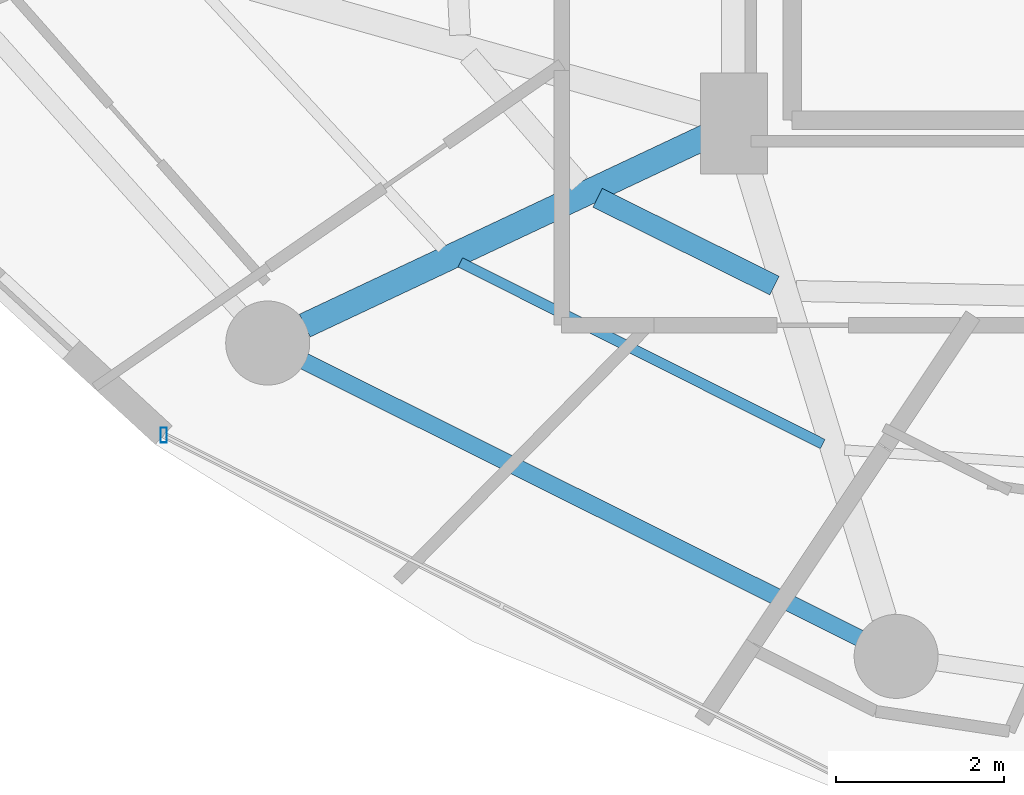
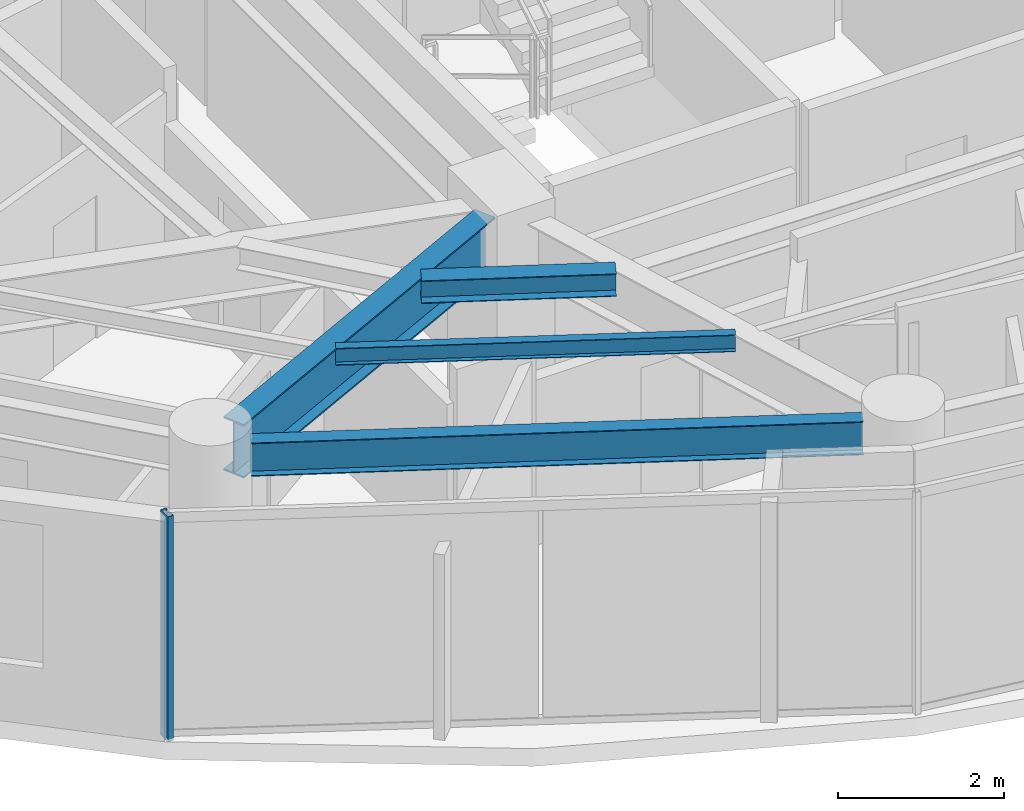
# One storey, part 2 of 30: 4 beams, 1 member, 1 element without a shape of its own.
"""IFC4 building model written with IfcOpenShell, lengths in metres."""

from ifc_helpers import new_model, si_unit, direction, frame, origin, origin_2d, place, context, subcontext, project, spatial, hollow_rectangle, i_section, extrude, material, material_profile, profile_set, type_object, element, aggregate, save


model = new_model("IFC4")

# Units and contexts
model_context = context("Model", 3, precision=1e-05, world=origin(), true_north=direction((0.0, 1.0)))
body_context = subcontext(model_context, "Body", "Model", "MODEL_VIEW")
ifc_project = project(units=[si_unit("LENGTHUNIT", "METRE"), si_unit("AREAUNIT", "SQUARE_METRE"), si_unit("VOLUMEUNIT", "CUBIC_METRE"), si_unit("PLANEANGLEUNIT", "RADIAN"), si_unit("MASSUNIT", "GRAM", prefix="KILO")], contexts=[model_context])

# Site, building, storey
site_placement = place(None, origin())
site = spatial("IfcSite", under=ifc_project, at=site_placement, CompositionType="ELEMENT")
building_placement = place(site_placement, origin())
building = spatial("IfcBuilding", under=site, at=building_placement, Name="Vorneva Point Tower", CompositionType="ELEMENT")
storey_placement = place(building_placement, frame((0.0, 0.0, 157.10009765625)))
storey = spatial("IfcBuildingStorey", under=building, at=storey_placement, Name="L42", CompositionType="ELEMENT", Elevation=157.10009765625)

# Beams
ifc_material_1 = material(Name="Steel S355", Category="steel")
ifc_material_profile_1 = material_profile(ifc_material_1, i_section(OverallWidth=0.300048828125, OverallDepth=0.7880859375, WebThickness=0.014404296875, FlangeThickness=0.02197265625, at=origin_2d()), Name="80Sh1")
ifc_profile_set_1 = profile_set([ifc_material_profile_1], Name="Steel S355")
beam_type_1 = type_object("IfcBeamType", Name="BM-GRD-80Sh1", PredefinedType="USERDEFINED", material=ifc_profile_set_1)
beam_1_placement = place(storey_placement, frame((22.142578125, 14.045654296875, 2.845947265625), z_axis=(0.904761331435, 0.425918927896, 0.0), x_axis=(-0.425918927896, 0.904761331435, 0.0)))
element("IfcBeam", 1, at=beam_1_placement, inside=storey, type_object=beam_type_1, Name="L42 Radial Primary Girder 11", ObjectType="GIRDER", PredefinedType="USERDEFINED", context=body_context, shape_type="SweptSolid", body=[
    extrude(i_section(OverallWidth=0.300048828125, OverallDepth=0.7880859375, WebThickness=0.014404296875, FlangeThickness=0.02197265625, at=origin_2d()), origin(), (0.0, 0.0, 1.0), 5.304931640625),
])
ifc_material_profile_2 = material_profile(ifc_material_1, i_section(OverallWidth=0.1240234375, OverallDepth=0.248046875, WebThickness=0.0048828125, FlangeThickness=0.008056640625, at=origin_2d()), Name="25B1")
ifc_profile_set_2 = profile_set([ifc_material_profile_2], Name="Steel S355")
beam_type_2 = type_object("IfcBeamType", Name="BM-JST-25B1", PredefinedType="JOIST", material=ifc_profile_set_2)
beam_2_placement = place(storey_placement, frame((23.993896484375, 14.79736328125, 3.115966796875), z_axis=(0.893940770693, -0.448185116322, 0.0), x_axis=(0.448185116322, 0.893940770693, 0.0)))
element("IfcBeam", 2, at=beam_2_placement, inside=storey, type_object=beam_type_2, Name="L42 Secondary Floor Beam 1.11", PredefinedType="JOIST", context=body_context, shape_type="SweptSolid", body=[
    extrude(i_section(OverallWidth=0.1240234375, OverallDepth=0.248046875, WebThickness=0.0048828125, FlangeThickness=0.008056640625, at=origin_2d()), origin(), (0.0, 0.0, 1.0), 4.823486328125),
])
ifc_material_profile_3 = material_profile(ifc_material_1, i_section(OverallWidth=0.2490234375, OverallDepth=0.333984375, WebThickness=0.008056640625, FlangeThickness=0.010986328125, at=origin_2d()), Name="35Sh1")
ifc_profile_set_3 = profile_set([ifc_material_profile_3], Name="Steel S355")
beam_type_3 = type_object("IfcBeamType", Name="BM-SEC-35Sh1", PredefinedType="BEAM", material=ifc_profile_set_3)
beam_3_placement = place(storey_placement, frame((25.626220703125, 15.56591796875, 3.072998046875), z_axis=(0.895835455774, -0.444385909068, 0.0), x_axis=(0.444385909068, 0.895835455774, 0.0)))
element("IfcBeam", 3, at=beam_3_placement, inside=storey, type_object=beam_type_3, Name="L42 Secondary Floor Beam 2.11", PredefinedType="BEAM", context=body_context, shape_type="SweptSolid", body=[
    extrude(i_section(OverallWidth=0.2490234375, OverallDepth=0.333984375, WebThickness=0.008056640625, FlangeThickness=0.010986328125, at=origin_2d()), origin(), (0.0, 0.0, 1.0), 2.350341796875),
])
ifc_material_profile_4 = material_profile(ifc_material_1, i_section(OverallWidth=0.199951171875, OverallDepth=0.491943359375, WebThickness=0.0087890625, FlangeThickness=0.011962890625, at=origin_2d()), Name="50B1")
ifc_profile_set_4 = profile_set([ifc_material_profile_4], Name="Steel S355")
beam_type_4 = type_object("IfcBeamType", Name="BM-SPN-50B1", PredefinedType="SPANDREL", material=ifc_profile_set_4)
beam_4_placement = place(storey_placement, frame((22.13525390625, 13.621337890625, 2.993896484375), z_axis=(0.894929061397, -0.446208443518, 0.0), x_axis=(0.446208443518, 0.894929061397, 0.0)))
element("IfcBeam", 4, at=beam_4_placement, inside=storey, type_object=beam_type_4, Name="L42 Perimeter Spandrel Ring Beam 11", PredefinedType="SPANDREL", context=body_context, shape_type="SweptSolid", body=[
    extrude(i_section(OverallWidth=0.199951171875, OverallDepth=0.491943359375, WebThickness=0.0087890625, FlangeThickness=0.011962890625, at=origin_2d()), origin(), (0.0, 0.0, 1.0), 7.385986328125),
])

# Curtain wall, member
ifc_material_2 = material(Name="Pale anodised aluminium", Category="aluminium")
curtain_wall_type = type_object("IfcCurtainWallType", Name="CW-RES-SYS", PredefinedType="NOTDEFINED", material=ifc_material_2)
curtain_wall_placement = place(storey_placement, origin())
curtain_wall = element("IfcCurtainWall", 5, at=curtain_wall_placement, inside=storey, type_object=curtain_wall_type, Name="L42 Unitised Curtain Wall CW-L42-R04", PredefinedType="NOTDEFINED")
ifc_material_profile_5 = material_profile(ifc_material_2, hollow_rectangle(XDim=0.074951171875, YDim=0.179931640625, WallThickness=0.00390625, at=origin_2d()), Name="AL-MUL 180x75x4")
ifc_profile_set_5 = profile_set([ifc_material_profile_5], Name="Pale anodised aluminium")
member_type = type_object("IfcMemberType", Name="CW-MUL-180", PredefinedType="MULLION", material=ifc_profile_set_5)
member_placement = place(storey_placement, frame((20.4638671875, 12.74169921875, -0.0400390625), z_axis=(0.0, 0.0, 1.0), x_axis=(1.0, 0.0, 0.0)))
member = element("IfcMember", 6, at=member_placement, type_object=member_type, Name="CW-L42-R04 Mullion 01", PredefinedType="MULLION", context=body_context, shape_type="SweptSolid", body=[
    extrude(hollow_rectangle(XDim=0.074951171875, YDim=0.179931640625, WallThickness=0.00390625, at=origin_2d()), origin(), (0.0, 0.0, 1.0), 3.31005859375),
])
aggregate(curtain_wall, [member])

save(model, "model.ifc")
